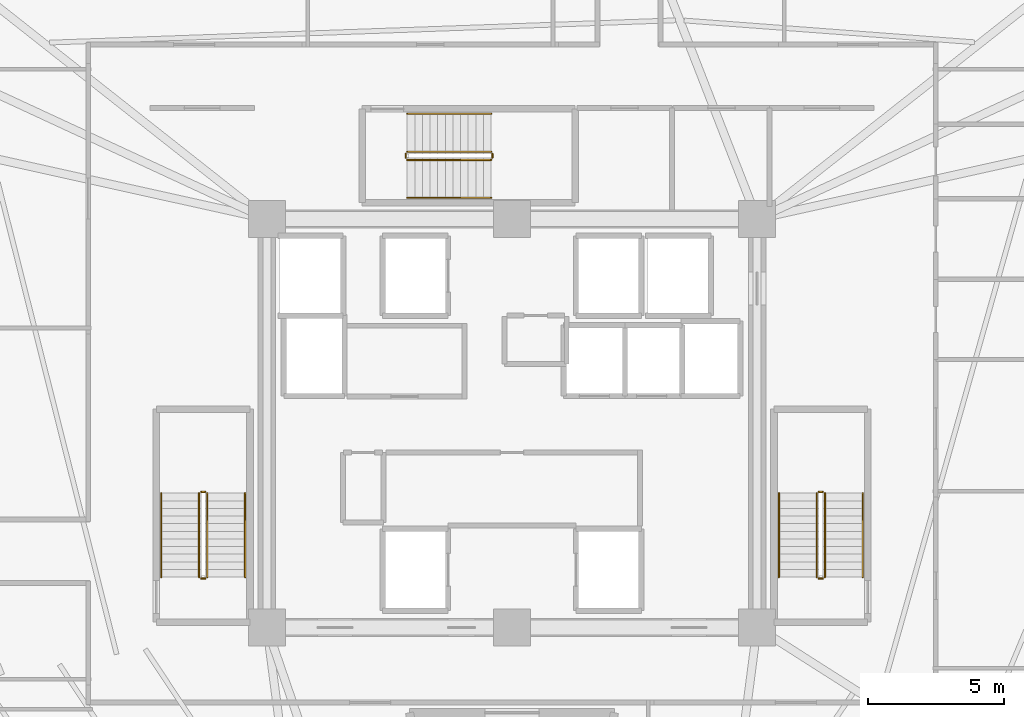
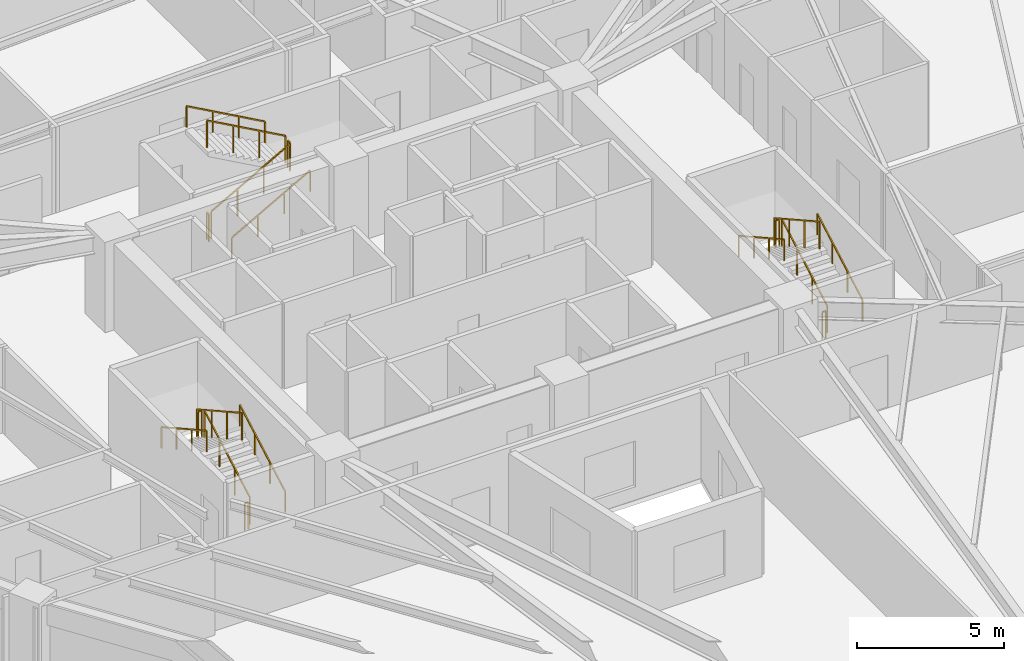
# One storey, part 9 of 9: 18 railings.
"""IFC4 building model written with IfcOpenShell, lengths in metres."""

from ifc_helpers import new_model, si_unit, direction, frame, origin, origin_2d, place, context, subcontext, project, spatial, rectangle, extrude, material, type_object, element, save


model = new_model("IFC4")

# Units and contexts
model_context = context("Model", 3, precision=1e-05, world=origin(), true_north=direction((0.0, 1.0)))
body_context = subcontext(model_context, "Body", "Model", "MODEL_VIEW")
ifc_project = project(units=[si_unit("LENGTHUNIT", "METRE"), si_unit("AREAUNIT", "SQUARE_METRE"), si_unit("VOLUMEUNIT", "CUBIC_METRE"), si_unit("PLANEANGLEUNIT", "RADIAN"), si_unit("MASSUNIT", "GRAM", prefix="KILO")], contexts=[model_context])

# Site, building, storey
site_placement = place(None, origin())
site = spatial("IfcSite", under=ifc_project, at=site_placement, CompositionType="ELEMENT")
building_placement = place(site_placement, origin())
building = spatial("IfcBuilding", under=site, at=building_placement, Name="Liaohun Quay Tower", CompositionType="ELEMENT")
storey_placement = place(building_placement, frame((0.0, 0.0, 224.25)))
storey = spatial("IfcBuildingStorey", under=building, at=storey_placement, Name="L58", CompositionType="ELEMENT", Elevation=224.25)

# Railings
ifc_material_1 = material(Name="Painted tubular steel", Category="steel")
railing_type_1 = type_object("IfcRailingType", Name="RLG-GUARD-STR", PredefinedType="GUARDRAIL", material=ifc_material_1)
railing_1_placement = place(storey_placement, frame((48.81005859375, 48.35009765625, 0.15625)))
element("IfcRailing", 1, at=railing_1_placement, inside=storey, type_object=railing_type_1, Name="L58 ST-1 stair guard 1", PredefinedType="GUARDRAIL", context=body_context, shape_type="SweptSolid", body=[
    extrude(rectangle(XDim=0.048095703125, YDim=0.048095703125, at=origin_2d()), frame((0.0, 0.0, 1.1259765625), z_axis=(0.0, 0.873225103656, 0.487317061414), x_axis=(-1.0, 0.0, 0.0)), (0.0, 0.0, 1.0), 3.52685546875),
    extrude(rectangle(XDim=0.0419921875, YDim=0.0419921875, at=origin_2d()), origin(), (0.0, 0.0, 1.0), 1.101806640625),
    extrude(rectangle(XDim=0.0419921875, YDim=0.0419921875, at=origin_2d()), frame((0.0, 1.026611328125, 0.572998046875)), (0.0, 0.0, 1.0), 1.101806640625),
    extrude(rectangle(XDim=0.0419921875, YDim=0.0419921875, at=origin_2d()), frame((0.0, 2.05322265625, 1.145751953125)), (0.0, 0.0, 1.0), 1.101806640625),
    extrude(rectangle(XDim=0.0419921875, YDim=0.0419921875, at=origin_2d()), frame((0.0, 3.079833984375, 1.71875)), (0.0, 0.0, 1.0), 1.101806640625),
])
railing_2_placement = place(storey_placement, frame((48.72998046875, 51.47998046875, 1.875)))
element("IfcRailing", 2, at=railing_2_placement, inside=storey, type_object=railing_type_1, Name="L58 ST-1 stair guard 2", PredefinedType="GUARDRAIL", context=body_context, shape_type="SweptSolid", body=[
    extrude(rectangle(XDim=0.048095703125, YDim=0.048095703125, at=origin_2d()), frame((0.0, 0.0, 1.1259765625), z_axis=(-1.0, 0.0, 0.0), x_axis=(0.0, -1.0, 0.0)), (0.0, 0.0, 1.0), 0.139892578125),
    extrude(rectangle(XDim=0.0419921875, YDim=0.0419921875, at=origin_2d()), origin(), (0.0, 0.0, 1.0), 1.101806640625),
    extrude(rectangle(XDim=0.0419921875, YDim=0.0419921875, at=origin_2d()), frame((-0.139892578125, 0.0, 0.0)), (0.0, 0.0, 1.0), 1.101806640625),
])
railing_3_placement = place(storey_placement, frame((48.510009765625, 51.429931640625, 2.03125)))
element("IfcRailing", 3, at=railing_3_placement, inside=storey, type_object=railing_type_1, Name="L58 ST-1 stair guard 3", PredefinedType="GUARDRAIL", context=body_context, shape_type="SweptSolid", body=[
    extrude(rectangle(XDim=0.048095703125, YDim=0.048095703125, at=origin_2d()), frame((0.0, 0.0, 1.1259765625), z_axis=(0.0, -0.873225103656, 0.487317061414), x_axis=(1.0, 0.0, 0.0)), (0.0, 0.0, 1.0), 3.52685546875),
    extrude(rectangle(XDim=0.0419921875, YDim=0.0419921875, at=origin_2d()), origin(), (0.0, 0.0, 1.0), 1.101806640625),
    extrude(rectangle(XDim=0.0419921875, YDim=0.0419921875, at=origin_2d()), frame((0.0, -1.026611328125, 0.572998046875)), (0.0, 0.0, 1.0), 1.101806640625),
    extrude(rectangle(XDim=0.0419921875, YDim=0.0419921875, at=origin_2d()), frame((0.0, -2.05322265625, 1.145751953125)), (0.0, 0.0, 1.0), 1.101806640625),
    extrude(rectangle(XDim=0.0419921875, YDim=0.0419921875, at=origin_2d()), frame((0.0, -3.079833984375, 1.71875)), (0.0, 0.0, 1.0), 1.101806640625),
])
railing_4_placement = place(storey_placement, frame((48.72998046875, 48.300048828125, 0.0)))
element("IfcRailing", 4, at=railing_4_placement, inside=storey, type_object=railing_type_1, Name="L58 ST-1 stair guard 4", PredefinedType="GUARDRAIL", context=body_context, shape_type="SweptSolid", body=[
    extrude(rectangle(XDim=0.048095703125, YDim=0.048095703125, at=origin_2d()), frame((0.0, 0.0, 1.1259765625), z_axis=(-1.0, 0.0, 0.0), x_axis=(0.0, -1.0, 0.0)), (0.0, 0.0, 1.0), 0.139892578125),
    extrude(rectangle(XDim=0.0419921875, YDim=0.0419921875, at=origin_2d()), origin(), (0.0, 0.0, 1.0), 1.101806640625),
    extrude(rectangle(XDim=0.0419921875, YDim=0.0419921875, at=origin_2d()), frame((-0.139892578125, 0.0, 0.0)), (0.0, 0.0, 1.0), 1.101806640625),
])
railing_5_placement = place(storey_placement, frame((71.489990234375, 48.35009765625, 0.15625)))
element("IfcRailing", 5, at=railing_5_placement, inside=storey, type_object=railing_type_1, Name="L58 ST-2 stair guard 1", PredefinedType="GUARDRAIL", context=body_context, shape_type="SweptSolid", body=[
    extrude(rectangle(XDim=0.048095703125, YDim=0.048095703125, at=origin_2d()), frame((0.0, 0.0, 1.1259765625), z_axis=(0.0, 0.873225103656, 0.487317061414), x_axis=(-1.0, 0.0, 0.0)), (0.0, 0.0, 1.0), 3.52685546875),
    extrude(rectangle(XDim=0.0419921875, YDim=0.0419921875, at=origin_2d()), origin(), (0.0, 0.0, 1.0), 1.101806640625),
    extrude(rectangle(XDim=0.0419921875, YDim=0.0419921875, at=origin_2d()), frame((0.0, 1.026611328125, 0.572998046875)), (0.0, 0.0, 1.0), 1.101806640625),
    extrude(rectangle(XDim=0.0419921875, YDim=0.0419921875, at=origin_2d()), frame((0.0, 2.05322265625, 1.145751953125)), (0.0, 0.0, 1.0), 1.101806640625),
    extrude(rectangle(XDim=0.0419921875, YDim=0.0419921875, at=origin_2d()), frame((0.0, 3.079833984375, 1.71875)), (0.0, 0.0, 1.0), 1.101806640625),
])
railing_6_placement = place(storey_placement, frame((71.409912109375, 51.47998046875, 1.875)))
element("IfcRailing", 6, at=railing_6_placement, inside=storey, type_object=railing_type_1, Name="L58 ST-2 stair guard 2", PredefinedType="GUARDRAIL", context=body_context, shape_type="SweptSolid", body=[
    extrude(rectangle(XDim=0.048095703125, YDim=0.048095703125, at=origin_2d()), frame((0.0, 0.0, 1.1259765625), z_axis=(-1.0, 0.0, 0.0), x_axis=(0.0, -1.0, 0.0)), (0.0, 0.0, 1.0), 0.139892578125),
    extrude(rectangle(XDim=0.0419921875, YDim=0.0419921875, at=origin_2d()), origin(), (0.0, 0.0, 1.0), 1.101806640625),
    extrude(rectangle(XDim=0.0419921875, YDim=0.0419921875, at=origin_2d()), frame((-0.139892578125, 0.0, 0.0)), (0.0, 0.0, 1.0), 1.101806640625),
])
railing_7_placement = place(storey_placement, frame((71.18994140625, 51.429931640625, 2.03125)))
element("IfcRailing", 7, at=railing_7_placement, inside=storey, type_object=railing_type_1, Name="L58 ST-2 stair guard 3", PredefinedType="GUARDRAIL", context=body_context, shape_type="SweptSolid", body=[
    extrude(rectangle(XDim=0.048095703125, YDim=0.048095703125, at=origin_2d()), frame((0.0, 0.0, 1.1259765625), z_axis=(0.0, -0.873225103656, 0.487317061414), x_axis=(1.0, 0.0, 0.0)), (0.0, 0.0, 1.0), 3.52685546875),
    extrude(rectangle(XDim=0.0419921875, YDim=0.0419921875, at=origin_2d()), origin(), (0.0, 0.0, 1.0), 1.101806640625),
    extrude(rectangle(XDim=0.0419921875, YDim=0.0419921875, at=origin_2d()), frame((0.0, -1.026611328125, 0.572998046875)), (0.0, 0.0, 1.0), 1.101806640625),
    extrude(rectangle(XDim=0.0419921875, YDim=0.0419921875, at=origin_2d()), frame((0.0, -2.05322265625, 1.145751953125)), (0.0, 0.0, 1.0), 1.101806640625),
    extrude(rectangle(XDim=0.0419921875, YDim=0.0419921875, at=origin_2d()), frame((0.0, -3.079833984375, 1.71875)), (0.0, 0.0, 1.0), 1.101806640625),
])
railing_8_placement = place(storey_placement, frame((71.409912109375, 48.300048828125, 0.0)))
element("IfcRailing", 8, at=railing_8_placement, inside=storey, type_object=railing_type_1, Name="L58 ST-2 stair guard 4", PredefinedType="GUARDRAIL", context=body_context, shape_type="SweptSolid", body=[
    extrude(rectangle(XDim=0.048095703125, YDim=0.048095703125, at=origin_2d()), frame((0.0, 0.0, 1.1259765625), z_axis=(-1.0, 0.0, 0.0), x_axis=(0.0, -1.0, 0.0)), (0.0, 0.0, 1.0), 0.139892578125),
    extrude(rectangle(XDim=0.0419921875, YDim=0.0419921875, at=origin_2d()), origin(), (0.0, 0.0, 1.0), 1.101806640625),
    extrude(rectangle(XDim=0.0419921875, YDim=0.0419921875, at=origin_2d()), frame((-0.139892578125, 0.0, 0.0)), (0.0, 0.0, 1.0), 1.101806640625),
])
railing_9_placement = place(storey_placement, frame((56.14990234375, 63.669921875, 0.15625)))
element("IfcRailing", 9, at=railing_9_placement, inside=storey, type_object=railing_type_1, Name="L58 ST-3 stair guard 1", PredefinedType="GUARDRAIL", context=body_context, shape_type="SweptSolid", body=[
    extrude(rectangle(XDim=0.048095703125, YDim=0.048095703125, at=origin_2d()), frame((0.0, 0.0, 1.1259765625), z_axis=(0.873241540666, 0.0, 0.487287606713), x_axis=(0.0, 1.0, 0.0)), (0.0, 0.0, 1.0), 3.527099609375),
    extrude(rectangle(XDim=0.0419921875, YDim=0.0419921875, at=origin_2d()), origin(), (0.0, 0.0, 1.0), 1.101806640625),
    extrude(rectangle(XDim=0.0419921875, YDim=0.0419921875, at=origin_2d()), frame((1.026611328125, 0.0, 0.572998046875)), (0.0, 0.0, 1.0), 1.101806640625),
    extrude(rectangle(XDim=0.0419921875, YDim=0.0419921875, at=origin_2d()), frame((2.053466796875, 0.0, 1.145751953125)), (0.0, 0.0, 1.0), 1.101806640625),
    extrude(rectangle(XDim=0.0419921875, YDim=0.0419921875, at=origin_2d()), frame((3.080078125, 0.0, 1.71875)), (0.0, 0.0, 1.0), 1.101806640625),
])
railing_10_placement = place(storey_placement, frame((59.280029296875, 63.75, 1.875)))
element("IfcRailing", 10, at=railing_10_placement, inside=storey, type_object=railing_type_1, Name="L58 ST-3 stair guard 2", PredefinedType="GUARDRAIL", context=body_context, shape_type="SweptSolid", body=[
    extrude(rectangle(XDim=0.048095703125, YDim=0.048095703125, at=origin_2d()), frame((0.0, 0.0, 1.1259765625), z_axis=(0.0, 1.0, 0.0), x_axis=(-1.0, 0.0, 0.0)), (0.0, 0.0, 1.0), 0.139892578125),
    extrude(rectangle(XDim=0.0419921875, YDim=0.0419921875, at=origin_2d()), origin(), (0.0, 0.0, 1.0), 1.101806640625),
    extrude(rectangle(XDim=0.0419921875, YDim=0.0419921875, at=origin_2d()), frame((0.0, 0.139892578125, 0.0)), (0.0, 0.0, 1.0), 1.101806640625),
])
railing_11_placement = place(storey_placement, frame((59.22998046875, 63.969970703125, 2.03125)))
element("IfcRailing", 11, at=railing_11_placement, inside=storey, type_object=railing_type_1, Name="L58 ST-3 stair guard 3", PredefinedType="GUARDRAIL", context=body_context, shape_type="SweptSolid", body=[
    extrude(rectangle(XDim=0.048095703125, YDim=0.048095703125, at=origin_2d()), frame((0.0, 0.0, 1.1259765625), z_axis=(-0.873241540666, 0.0, 0.487287606713), x_axis=(0.0, -1.0, 0.0)), (0.0, 0.0, 1.0), 3.527099609375),
    extrude(rectangle(XDim=0.0419921875, YDim=0.0419921875, at=origin_2d()), origin(), (0.0, 0.0, 1.0), 1.101806640625),
    extrude(rectangle(XDim=0.0419921875, YDim=0.0419921875, at=origin_2d()), frame((-1.026611328125, 0.0, 0.572998046875)), (0.0, 0.0, 1.0), 1.101806640625),
    extrude(rectangle(XDim=0.0419921875, YDim=0.0419921875, at=origin_2d()), frame((-2.053466796875, 0.0, 1.145751953125)), (0.0, 0.0, 1.0), 1.101806640625),
    extrude(rectangle(XDim=0.0419921875, YDim=0.0419921875, at=origin_2d()), frame((-3.080078125, 0.0, 1.71875)), (0.0, 0.0, 1.0), 1.101806640625),
])
railing_12_placement = place(storey_placement, frame((56.10009765625, 63.75, 0.0)))
element("IfcRailing", 12, at=railing_12_placement, inside=storey, type_object=railing_type_1, Name="L58 ST-3 stair guard 4", PredefinedType="GUARDRAIL", context=body_context, shape_type="SweptSolid", body=[
    extrude(rectangle(XDim=0.048095703125, YDim=0.048095703125, at=origin_2d()), frame((0.0, 0.0, 1.1259765625), z_axis=(0.0, 1.0, 0.0), x_axis=(-1.0, 0.0, 0.0)), (0.0, 0.0, 1.0), 0.139892578125),
    extrude(rectangle(XDim=0.0419921875, YDim=0.0419921875, at=origin_2d()), origin(), (0.0, 0.0, 1.0), 1.101806640625),
    extrude(rectangle(XDim=0.0419921875, YDim=0.0419921875, at=origin_2d()), frame((0.0, 0.139892578125, 0.0)), (0.0, 0.0, 1.0), 1.101806640625),
])
ifc_material_2 = material(Name="Brushed stainless steel", Category="steel")
railing_type_2 = type_object("IfcRailingType", Name="RLG-HND-STR", PredefinedType="HANDRAIL", material=ifc_material_2)
railing_13_placement = place(storey_placement, frame((50.199951171875, 48.35009765625, 0.15625)))
element("IfcRailing", 13, at=railing_13_placement, inside=storey, type_object=railing_type_2, Name="L58 ST-1 stair handrail 1", PredefinedType="HANDRAIL", context=body_context, shape_type="SweptSolid", body=[
    extrude(rectangle(XDim=0.048095703125, YDim=0.048095703125, at=origin_2d()), frame((0.0, 0.0, 0.8759765625), z_axis=(0.0, 0.873225103656, 0.487317061414), x_axis=(-1.0, 0.0, 0.0)), (0.0, 0.0, 1.0), 3.52685546875),
    extrude(rectangle(XDim=0.0419921875, YDim=0.0419921875, at=origin_2d()), origin(), (0.0, 0.0, 1.0), 0.851806640625),
    extrude(rectangle(XDim=0.0419921875, YDim=0.0419921875, at=origin_2d()), frame((0.0, 1.026611328125, 0.572998046875)), (0.0, 0.0, 1.0), 0.851806640625),
    extrude(rectangle(XDim=0.0419921875, YDim=0.0419921875, at=origin_2d()), frame((0.0, 2.05322265625, 1.145751953125)), (0.0, 0.0, 1.0), 0.851806640625),
    extrude(rectangle(XDim=0.0419921875, YDim=0.0419921875, at=origin_2d()), frame((0.0, 3.079833984375, 1.71875)), (0.0, 0.0, 1.0), 0.851806640625),
])
railing_14_placement = place(storey_placement, frame((47.1201171875, 51.429931640625, 2.03125)))
element("IfcRailing", 14, at=railing_14_placement, inside=storey, type_object=railing_type_2, Name="L58 ST-1 stair handrail 2", PredefinedType="HANDRAIL", context=body_context, shape_type="SweptSolid", body=[
    extrude(rectangle(XDim=0.048095703125, YDim=0.048095703125, at=origin_2d()), frame((0.0, 0.0, 0.8759765625), z_axis=(0.0, -0.873225103656, 0.487317061414), x_axis=(1.0, 0.0, 0.0)), (0.0, 0.0, 1.0), 3.52685546875),
    extrude(rectangle(XDim=0.0419921875, YDim=0.0419921875, at=origin_2d()), origin(), (0.0, 0.0, 1.0), 0.851806640625),
    extrude(rectangle(XDim=0.0419921875, YDim=0.0419921875, at=origin_2d()), frame((0.0, -1.026611328125, 0.572998046875)), (0.0, 0.0, 1.0), 0.851806640625),
    extrude(rectangle(XDim=0.0419921875, YDim=0.0419921875, at=origin_2d()), frame((0.0, -2.05322265625, 1.145751953125)), (0.0, 0.0, 1.0), 0.851806640625),
    extrude(rectangle(XDim=0.0419921875, YDim=0.0419921875, at=origin_2d()), frame((0.0, -3.079833984375, 1.71875)), (0.0, 0.0, 1.0), 0.851806640625),
])
railing_15_placement = place(storey_placement, frame((72.8798828125, 48.35009765625, 0.15625)))
element("IfcRailing", 15, at=railing_15_placement, inside=storey, type_object=railing_type_2, Name="L58 ST-2 stair handrail 1", PredefinedType="HANDRAIL", context=body_context, shape_type="SweptSolid", body=[
    extrude(rectangle(XDim=0.048095703125, YDim=0.048095703125, at=origin_2d()), frame((0.0, 0.0, 0.8759765625), z_axis=(0.0, 0.873225103656, 0.487317061414), x_axis=(-1.0, 0.0, 0.0)), (0.0, 0.0, 1.0), 3.52685546875),
    extrude(rectangle(XDim=0.0419921875, YDim=0.0419921875, at=origin_2d()), origin(), (0.0, 0.0, 1.0), 0.851806640625),
    extrude(rectangle(XDim=0.0419921875, YDim=0.0419921875, at=origin_2d()), frame((0.0, 1.026611328125, 0.572998046875)), (0.0, 0.0, 1.0), 0.851806640625),
    extrude(rectangle(XDim=0.0419921875, YDim=0.0419921875, at=origin_2d()), frame((0.0, 2.05322265625, 1.145751953125)), (0.0, 0.0, 1.0), 0.851806640625),
    extrude(rectangle(XDim=0.0419921875, YDim=0.0419921875, at=origin_2d()), frame((0.0, 3.079833984375, 1.71875)), (0.0, 0.0, 1.0), 0.851806640625),
])
railing_16_placement = place(storey_placement, frame((69.800048828125, 51.429931640625, 2.03125)))
element("IfcRailing", 16, at=railing_16_placement, inside=storey, type_object=railing_type_2, Name="L58 ST-2 stair handrail 2", PredefinedType="HANDRAIL", context=body_context, shape_type="SweptSolid", body=[
    extrude(rectangle(XDim=0.048095703125, YDim=0.048095703125, at=origin_2d()), frame((0.0, 0.0, 0.8759765625), z_axis=(0.0, -0.873225103656, 0.487317061414), x_axis=(1.0, 0.0, 0.0)), (0.0, 0.0, 1.0), 3.52685546875),
    extrude(rectangle(XDim=0.0419921875, YDim=0.0419921875, at=origin_2d()), origin(), (0.0, 0.0, 1.0), 0.851806640625),
    extrude(rectangle(XDim=0.0419921875, YDim=0.0419921875, at=origin_2d()), frame((0.0, -1.026611328125, 0.572998046875)), (0.0, 0.0, 1.0), 0.851806640625),
    extrude(rectangle(XDim=0.0419921875, YDim=0.0419921875, at=origin_2d()), frame((0.0, -2.05322265625, 1.145751953125)), (0.0, 0.0, 1.0), 0.851806640625),
    extrude(rectangle(XDim=0.0419921875, YDim=0.0419921875, at=origin_2d()), frame((0.0, -3.079833984375, 1.71875)), (0.0, 0.0, 1.0), 0.851806640625),
])
railing_17_placement = place(storey_placement, frame((56.14990234375, 62.280029296875, 0.15625)))
element("IfcRailing", 17, at=railing_17_placement, inside=storey, type_object=railing_type_2, Name="L58 ST-3 stair handrail 1", PredefinedType="HANDRAIL", context=body_context, shape_type="SweptSolid", body=[
    extrude(rectangle(XDim=0.048095703125, YDim=0.048095703125, at=origin_2d()), frame((0.0, 0.0, 0.8759765625), z_axis=(0.873241540666, 0.0, 0.487287606713), x_axis=(0.0, 1.0, 0.0)), (0.0, 0.0, 1.0), 3.527099609375),
    extrude(rectangle(XDim=0.0419921875, YDim=0.0419921875, at=origin_2d()), origin(), (0.0, 0.0, 1.0), 0.851806640625),
    extrude(rectangle(XDim=0.0419921875, YDim=0.0419921875, at=origin_2d()), frame((1.026611328125, 0.0, 0.572998046875)), (0.0, 0.0, 1.0), 0.851806640625),
    extrude(rectangle(XDim=0.0419921875, YDim=0.0419921875, at=origin_2d()), frame((2.053466796875, 0.0, 1.145751953125)), (0.0, 0.0, 1.0), 0.851806640625),
    extrude(rectangle(XDim=0.0419921875, YDim=0.0419921875, at=origin_2d()), frame((3.080078125, 0.0, 1.71875)), (0.0, 0.0, 1.0), 0.851806640625),
])
railing_18_placement = place(storey_placement, frame((59.22998046875, 65.360107421875, 2.03125)))
element("IfcRailing", 18, at=railing_18_placement, inside=storey, type_object=railing_type_2, Name="L58 ST-3 stair handrail 2", PredefinedType="HANDRAIL", context=body_context, shape_type="SweptSolid", body=[
    extrude(rectangle(XDim=0.048095703125, YDim=0.048095703125, at=origin_2d()), frame((0.0, 0.0, 0.8759765625), z_axis=(-0.873241540666, 0.0, 0.487287606713), x_axis=(0.0, -1.0, 0.0)), (0.0, 0.0, 1.0), 3.527099609375),
    extrude(rectangle(XDim=0.0419921875, YDim=0.0419921875, at=origin_2d()), origin(), (0.0, 0.0, 1.0), 0.851806640625),
    extrude(rectangle(XDim=0.0419921875, YDim=0.0419921875, at=origin_2d()), frame((-1.026611328125, 0.0, 0.572998046875)), (0.0, 0.0, 1.0), 0.851806640625),
    extrude(rectangle(XDim=0.0419921875, YDim=0.0419921875, at=origin_2d()), frame((-2.053466796875, 0.0, 1.145751953125)), (0.0, 0.0, 1.0), 0.851806640625),
    extrude(rectangle(XDim=0.0419921875, YDim=0.0419921875, at=origin_2d()), frame((-3.080078125, 0.0, 1.71875)), (0.0, 0.0, 1.0), 0.851806640625),
])

save(model, "model.ifc")
